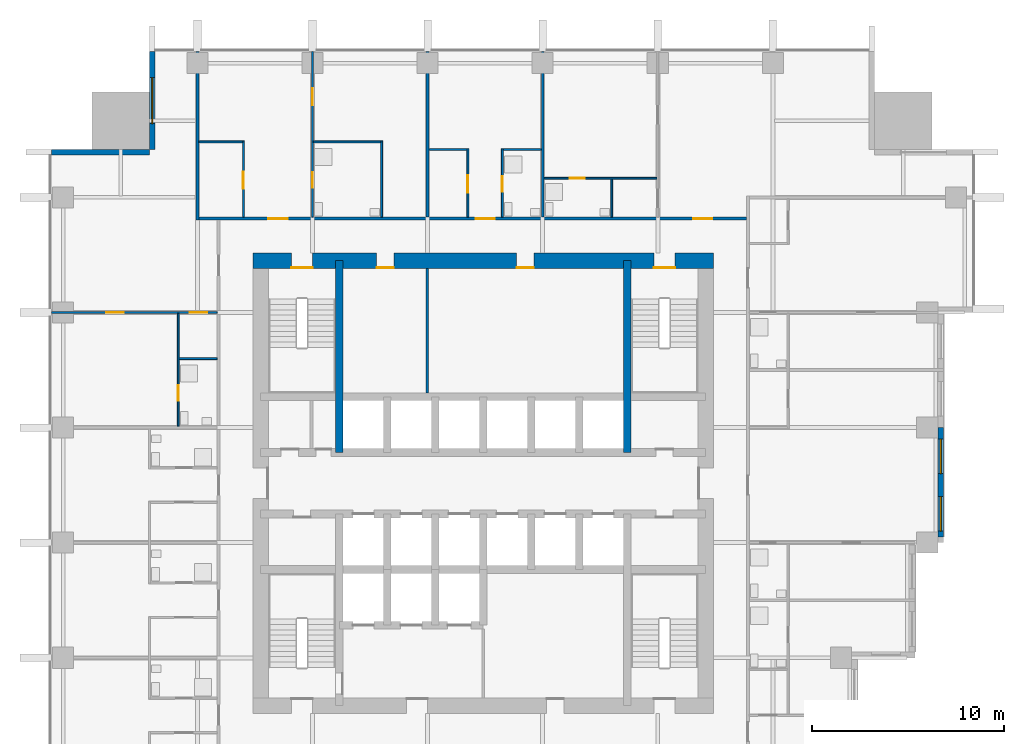
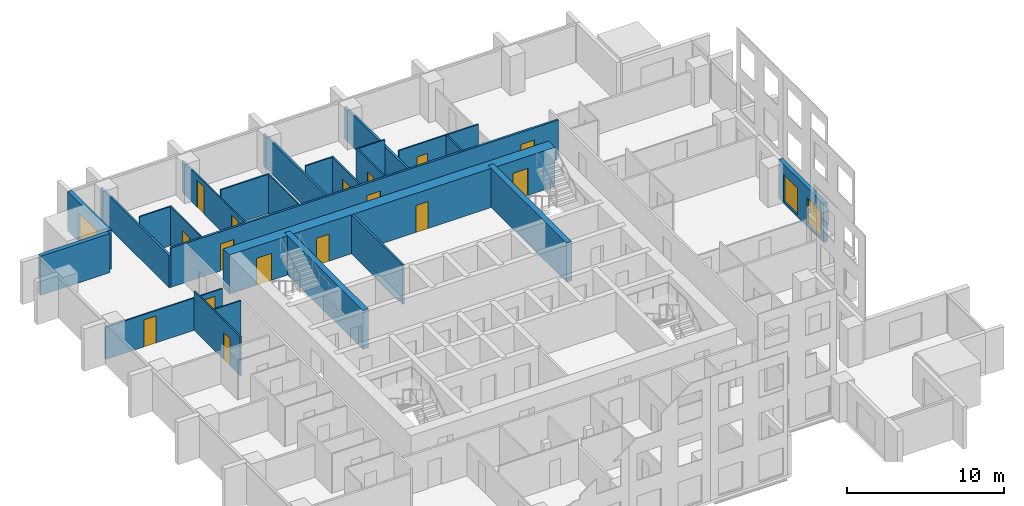
# One storey, part 7 of 11: 25 walls, 16 doors, 3 windows, 19 openings.
"""IFC4 building model written with IfcOpenShell, lengths in metres."""

from ifc_helpers import new_model, si_unit, direction, frame, frame_2d, origin, place, context, subcontext, project, spatial, rectangle, extrude, material, layer, layer_set, type_object, element, fill, save


model = new_model("IFC4")

# Units and contexts
model_context = context("Model", 3, precision=1e-05, world=origin(), true_north=direction((0.0, 1.0)))
body_context = subcontext(model_context, "Body", "Model", "MODEL_VIEW")
ifc_project = project(units=[si_unit("LENGTHUNIT", "METRE"), si_unit("AREAUNIT", "SQUARE_METRE"), si_unit("VOLUMEUNIT", "CUBIC_METRE"), si_unit("PLANEANGLEUNIT", "RADIAN"), si_unit("MASSUNIT", "GRAM", prefix="KILO")], contexts=[model_context])

# Site, building, storey
site_placement = place(None, origin())
site = spatial("IfcSite", under=ifc_project, at=site_placement, CompositionType="ELEMENT")
building_placement = place(site_placement, origin())
building = spatial("IfcBuilding", under=site, at=building_placement, Name="Amberfall Residences", CompositionType="ELEMENT")
storey_placement = place(building_placement, frame((0.0, 0.0, 98.5)))
storey = spatial("IfcBuildingStorey", under=building, at=storey_placement, Name="L26", CompositionType="ELEMENT", Elevation=98.5)

# Wall, opening, window
ifc_material_1 = material(Name="Pale stone cladding on insulated backing", Category="masonry")
ifc_layer_1 = layer(ifc_material_1, 0.300048828125)
ifc_layer_set_1 = layer_set([ifc_layer_1], Name="Bronze clad wall 300")
wall_type_1 = type_object("IfcWallType", Name="Bronze clad wall 300", PredefinedType="SOLIDWALL", material=ifc_layer_set_1)
wall_1_placement = place(storey_placement, frame((57.25, 68.0, 0.0), z_axis=(0.0, 0.0, 1.0), x_axis=(0.0, -1.0, 0.0)))
wall_1 = element("IfcWall", 1, at=wall_1_placement, inside=storey, type_object=wall_type_1, Name="External wall L26 NW", PredefinedType="SOLIDWALL", context=body_context, shape_type="SweptSolid", body=[
    extrude(rectangle(XDim=5.10009765625, YDim=0.300048828125, at=frame_2d((2.550048828125, 0.0))), origin(), (0.0, 0.0, 1.0), 3.050048828125),
])
opening_1_placement = place(wall_1_placement, frame((1.35009765625, 0.0, 0.14990234375)))
opening_1 = element("IfcOpeningElement", 2, at=opening_1_placement, cuts=wall_1, Name="Opening WN5", PredefinedType="OPENING", context=body_context, shape_type="SweptSolid", body=[
    extrude(rectangle(XDim=2.39990234375, YDim=2.10009765625, at=frame_2d((1.199951171875, 1.050048828125))), frame((0.0, 0.159912109375, 0.0), z_axis=(0.0, -1.0, 0.0), x_axis=(1.0, 0.0, 0.0)), (0.0, 0.0, 1.0), 0.320068359375),
])
ifc_material_2 = material(Name="Bronze aluminium framed glazing", Category="aluminium")
window_type_1 = type_object("IfcWindowType", Name="Glazed opening 2400 x 2100 bronze", PartitioningType="DOUBLE_PANEL_VERTICAL", PredefinedType="WINDOW", material=ifc_material_2)
window_1_placement = place(opening_1_placement, origin())
window_1 = element("IfcWindow", 3, at=window_1_placement, inside=storey, type_object=window_type_1, Name="Window L26 NW", OverallHeight=2.10009765625, OverallWidth=2.39990234375, PartitioningType="DOUBLE_PANEL_VERTICAL", PredefinedType="WINDOW", context=body_context, shape_type="SweptSolid", body=[
    extrude(rectangle(XDim=2.39990234375, YDim=2.10009765625, at=frame_2d((1.199951171875, 1.050048828125))), frame((0.0, 0.030029296875, 0.0), z_axis=(0.0, -1.0, 0.0), x_axis=(1.0, 0.0, 0.0)), (0.0, 0.0, 1.0), 0.06005859375),
])
fill(opening_1, window_1)

# Wall
wall_2_placement = place(storey_placement, frame((57.10009765625, 62.75, 0.0), z_axis=(0.0, 0.0, 1.0), x_axis=(-1.0, 0.0, 0.0)))
element("IfcWall", 4, at=wall_2_placement, inside=storey, type_object=wall_type_1, Name="External wall L26 NW", PredefinedType="SOLIDWALL", context=body_context, shape_type="SweptSolid", body=[
    extrude(rectangle(XDim=5.10009765625, YDim=0.300048828125, at=frame_2d((2.550048828125, 0.0))), origin(), (0.0, 0.0, 1.0), 3.050048828125),
])

# Wall, openings, windows
wall_3_placement = place(storey_placement, frame((98.35009765625, 42.699951171875, 0.0), z_axis=(0.0, 0.0, 1.0), x_axis=(0.0, 1.0, 0.0)))
wall_3 = element("IfcWall", 5, at=wall_3_placement, inside=storey, type_object=wall_type_1, Name="Stone wall L26 E", PredefinedType="SOLIDWALL", context=body_context, shape_type="SweptSolid", body=[
    extrude(rectangle(XDim=5.699951171875, YDim=0.300048828125, at=frame_2d((2.85009765625, 0.0))), origin(), (0.0, 0.0, 1.0), 3.050048828125),
])
opening_2_placement = place(wall_3_placement, frame((0.300048828125, 0.0, 0.14990234375)))
opening_2 = element("IfcOpeningElement", 6, at=opening_2_placement, cuts=wall_3, Name="Opening WN6", PredefinedType="OPENING", context=body_context, shape_type="SweptSolid", body=[
    extrude(rectangle(XDim=1.800048828125, YDim=2.10009765625, at=frame_2d((0.89990234375, 1.050048828125))), frame((0.0, 0.159912109375, 0.0), z_axis=(0.0, -1.0, 0.0), x_axis=(1.0, 0.0, 0.0)), (0.0, 0.0, 1.0), 0.320068359375),
])
opening_3_placement = place(wall_3_placement, frame((3.300048828125, 0.0, 0.14990234375)))
opening_3 = element("IfcOpeningElement", 7, at=opening_3_placement, cuts=wall_3, Name="Opening WN6", PredefinedType="OPENING", context=body_context, shape_type="SweptSolid", body=[
    extrude(rectangle(XDim=1.800048828125, YDim=2.10009765625, at=frame_2d((0.89990234375, 1.050048828125))), frame((0.0, 0.159912109375, 0.0), z_axis=(0.0, -1.0, 0.0), x_axis=(1.0, 0.0, 0.0)), (0.0, 0.0, 1.0), 0.320068359375),
])
window_type_2 = type_object("IfcWindowType", Name="Glazed opening 1800 x 2100 bronze", PartitioningType="DOUBLE_PANEL_VERTICAL", PredefinedType="WINDOW", material=ifc_material_2)
window_2_placement = place(opening_2_placement, origin())
window_2 = element("IfcWindow", 8, at=window_2_placement, inside=storey, type_object=window_type_2, Name="Window L26 E", OverallHeight=2.10009765625, OverallWidth=1.800048828125, PartitioningType="DOUBLE_PANEL_VERTICAL", PredefinedType="WINDOW", context=body_context, shape_type="SweptSolid", body=[
    extrude(rectangle(XDim=1.800048828125, YDim=2.10009765625, at=frame_2d((0.89990234375, 1.050048828125))), frame((0.0, 0.030029296875, 0.0), z_axis=(0.0, -1.0, 0.0), x_axis=(1.0, 0.0, 0.0)), (0.0, 0.0, 1.0), 0.06005859375),
])
fill(opening_2, window_2)
window_3_placement = place(opening_3_placement, origin())
window_3 = element("IfcWindow", 9, at=window_3_placement, inside=storey, type_object=window_type_2, Name="Window L26 E", OverallHeight=2.10009765625, OverallWidth=1.800048828125, PartitioningType="DOUBLE_PANEL_VERTICAL", PredefinedType="WINDOW", context=body_context, shape_type="SweptSolid", body=[
    extrude(rectangle(XDim=1.800048828125, YDim=2.10009765625, at=frame_2d((0.89990234375, 1.050048828125))), frame((0.0, 0.030029296875, 0.0), z_axis=(0.0, -1.0, 0.0), x_axis=(1.0, 0.0, 0.0)), (0.0, 0.0, 1.0), 0.06005859375),
])
fill(opening_3, window_3)

# Walls
ifc_material_3 = material(Name="Concrete C70", Category="concrete")
ifc_layer_2 = layer(ifc_material_3, 0.39990234375)
ifc_layer_set_2 = layer_set([ifc_layer_2], Name="Core wall 400 C70")
wall_type_2 = type_object("IfcWallType", Name="Core wall 400 C70", PredefinedType="SHEAR", material=ifc_layer_set_2)
for number, where, z_axis, x_axis, name in (
    (10, (67.0, 47.10009765625, 0.0), (0.0, 0.0, 1.0), (0.0, 1.0, 0.0), "Core wall RW4 L26 V45N"),
    (11, (82.0, 47.10009765625, 0.0), (0.0, 0.0, 1.0), (0.0, 1.0, 0.0), "Core wall RW4 L26 V195N"),
):
    element("IfcWall", number, at=place(storey_placement, frame(where, z_axis=z_axis, x_axis=x_axis)), inside=storey, type_object=wall_type_2, Name=name, PredefinedType="SHEAR", context=body_context, shape_type="SweptSolid", body=[
        extrude(rectangle(XDim=10.0, YDim=0.39990234375, at=frame_2d((5.0, 0.0))), origin(), (0.0, 0.0, 1.0), 3.050048828125),
    ])

# Wall, openings, doors
ifc_layer_3 = layer(ifc_material_3, 0.800048828125)
ifc_layer_set_3 = layer_set([ifc_layer_3], Name="Core wall 800 C70")
wall_type_3 = type_object("IfcWallType", Name="Core wall 800 C70", PredefinedType="SHEAR", material=ifc_layer_set_3)
wall_4_placement = place(storey_placement, frame((62.5, 57.10009765625, 0.0), z_axis=(0.0, 0.0, 1.0), x_axis=(1.0, 0.0, 0.0)))
wall_4 = element("IfcWall", 12, at=wall_4_placement, inside=storey, type_object=wall_type_3, Name="Core wall RW3 L26 ON", PredefinedType="SHEAR", context=body_context, shape_type="SweptSolid", body=[
    extrude(rectangle(XDim=24.0, YDim=0.800048828125, at=frame_2d((12.0, 0.0))), origin(), (0.0, 0.0, 1.0), 3.050048828125),
])
opening_4_placement = place(wall_4_placement, frame((20.89990234375, 0.0, 0.0)))
opening_4 = element("IfcOpeningElement", 13, at=opening_4_placement, cuts=wall_4, Name="Opening SD1", PredefinedType="OPENING", context=body_context, shape_type="SweptSolid", body=[
    extrude(rectangle(XDim=1.10009765625, YDim=2.10009765625, at=frame_2d((0.550048828125, 1.050048828125))), frame((0.0, 0.409912109375, 0.0), z_axis=(0.0, -1.0, 0.0), x_axis=(1.0, 0.0, 0.0)), (0.0, 0.0, 1.0), 0.820068359375),
])
opening_5_placement = place(wall_4_placement, frame((2.0, 0.0, 0.0)))
opening_5 = element("IfcOpeningElement", 14, at=opening_5_placement, cuts=wall_4, Name="Opening SD1", PredefinedType="OPENING", context=body_context, shape_type="SweptSolid", body=[
    extrude(rectangle(XDim=1.10009765625, YDim=2.10009765625, at=frame_2d((0.550048828125, 1.050048828125))), frame((0.0, 0.409912109375, 0.0), z_axis=(0.0, -1.0, 0.0), x_axis=(1.0, 0.0, 0.0)), (0.0, 0.0, 1.0), 0.820068359375),
])
opening_6_placement = place(wall_4_placement, frame((6.43994140625, 0.0, 0.0)))
opening_6 = element("IfcOpeningElement", 15, at=opening_6_placement, cuts=wall_4, Name="Opening RD1", PredefinedType="OPENING", context=body_context, shape_type="SweptSolid", body=[
    extrude(rectangle(XDim=0.89990234375, YDim=2.10009765625, at=frame_2d((0.449951171875, 1.050048828125))), frame((0.0, 0.409912109375, 0.0), z_axis=(0.0, -1.0, 0.0), x_axis=(1.0, 0.0, 0.0)), (0.0, 0.0, 1.0), 0.820068359375),
])
opening_7_placement = place(wall_4_placement, frame((13.739990234375, 0.0, 0.0)))
opening_7 = element("IfcOpeningElement", 16, at=opening_7_placement, cuts=wall_4, Name="Opening RD1", PredefinedType="OPENING", context=body_context, shape_type="SweptSolid", body=[
    extrude(rectangle(XDim=0.89990234375, YDim=2.10009765625, at=frame_2d((0.449951171875, 1.050048828125))), frame((0.0, 0.409912109375, 0.0), z_axis=(0.0, -1.0, 0.0), x_axis=(1.0, 0.0, 0.0)), (0.0, 0.0, 1.0), 0.820068359375),
])
ifc_material_4 = material(Name="Steel fire door set", Category="steel")
door_type_1 = type_object("IfcDoorType", Name="Service room door 900 x 2100", OperationType="SINGLE_SWING_LEFT", PredefinedType="DOOR", material=ifc_material_4)
door_1_placement = place(opening_6_placement, origin())
door_1 = element("IfcDoor", 17, at=door_1_placement, inside=storey, type_object=door_type_1, Name="RD1 L26", OperationType="SINGLE_SWING_RIGHT", OverallHeight=2.10009765625, OverallWidth=0.89990234375, PredefinedType="DOOR", context=body_context, shape_type="SweptSolid", body=[
    extrude(rectangle(XDim=0.89990234375, YDim=2.10009765625, at=frame_2d((0.449951171875, 1.050048828125))), frame((0.0, -0.33740234375, 0.0), z_axis=(0.0, -1.0, 0.0), x_axis=(1.0, 0.0, 0.0)), (0.0, 0.0, 1.0), 0.050048828125),
])
fill(opening_6, door_1)
door_2_placement = place(opening_7_placement, origin())
door_2 = element("IfcDoor", 18, at=door_2_placement, inside=storey, type_object=door_type_1, Name="RD1 L26", OperationType="SINGLE_SWING_RIGHT", OverallHeight=2.10009765625, OverallWidth=0.89990234375, PredefinedType="DOOR", context=body_context, shape_type="SweptSolid", body=[
    extrude(rectangle(XDim=0.89990234375, YDim=2.10009765625, at=frame_2d((0.449951171875, 1.050048828125))), frame((0.0, -0.33740234375, 0.0), z_axis=(0.0, -1.0, 0.0), x_axis=(1.0, 0.0, 0.0)), (0.0, 0.0, 1.0), 0.050048828125),
])
fill(opening_7, door_2)
door_type_2 = type_object("IfcDoorType", Name="Stair door 1100 x 2100", OperationType="SINGLE_SWING_LEFT", PredefinedType="DOOR", material=ifc_material_4)
door_3_placement = place(opening_4_placement, origin())
door_3 = element("IfcDoor", 19, at=door_3_placement, inside=storey, type_object=door_type_2, Name="SD1 L26", OperationType="SINGLE_SWING_RIGHT", OverallHeight=2.10009765625, OverallWidth=1.10009765625, PredefinedType="DOOR", context=body_context, shape_type="SweptSolid", body=[
    extrude(rectangle(XDim=1.10009765625, YDim=2.10009765625, at=frame_2d((0.550048828125, 1.050048828125))), frame((0.0, -0.33740234375, 0.0), z_axis=(0.0, -1.0, 0.0), x_axis=(1.0, 0.0, 0.0)), (0.0, 0.0, 1.0), 0.050048828125),
])
fill(opening_4, door_3)
door_4_placement = place(opening_5_placement, origin())
door_4 = element("IfcDoor", 20, at=door_4_placement, inside=storey, type_object=door_type_2, Name="SD1 L26", OperationType="SINGLE_SWING_LEFT", OverallHeight=2.10009765625, OverallWidth=1.10009765625, PredefinedType="DOOR", context=body_context, shape_type="SweptSolid", body=[
    extrude(rectangle(XDim=1.10009765625, YDim=2.10009765625, at=frame_2d((0.550048828125, 1.050048828125))), frame((0.0, -0.33740234375, 0.0), z_axis=(0.0, -1.0, 0.0), x_axis=(1.0, 0.0, 0.0)), (0.0, 0.0, 1.0), 0.050048828125),
])
fill(opening_5, door_4)

# Wall, opening, door
ifc_material_5 = material(Name="Gypsum board on metal stud")
ifc_layer_4 = layer(ifc_material_5, 0.10009765625)
ifc_layer_set_4 = layer_set([ifc_layer_4], Name="Flat partition 100")
wall_type_4 = type_object("IfcWallType", Name="Flat partition 100", PredefinedType="PARTITIONING", material=ifc_layer_set_4)
wall_5_placement = place(storey_placement, frame((58.60009765625, 54.35009765625, 0.0), z_axis=(0.0, 0.0, 1.0), x_axis=(0.0, -1.0, 0.0)))
wall_5 = element("IfcWall", 21, at=wall_5_placement, inside=storey, type_object=wall_type_4, Name="Partition 005", PredefinedType="PARTITIONING", context=body_context, shape_type="SweptSolid", body=[
    extrude(rectangle(XDim=5.875, YDim=0.10009765625, at=frame_2d((2.9375, 0.0))), origin(), (0.0, 0.0, 1.0), 3.050048828125),
])
opening_8_placement = place(wall_5_placement, frame((3.75, 0.0, 0.0)))
opening_8 = element("IfcOpeningElement", 22, at=opening_8_placement, cuts=wall_5, Name="Opening D42", PredefinedType="OPENING", context=body_context, shape_type="SweptSolid", body=[
    extrude(rectangle(XDim=0.800048828125, YDim=2.10009765625, at=frame_2d((0.39990234375, 1.050048828125))), frame((0.0, 0.06005859375, 0.0), z_axis=(0.0, -1.0, 0.0), x_axis=(1.0, 0.0, 0.0)), (0.0, 0.0, 1.0), 0.1201171875),
])
ifc_material_6 = material(Name="Timber", Category="wood")
door_type_3 = type_object("IfcDoorType", Name="Bathroom door 800 x 2100", OperationType="SINGLE_SWING_LEFT", PredefinedType="DOOR", material=ifc_material_6)
door_5_placement = place(opening_8_placement, origin())
door_5 = element("IfcDoor", 23, at=door_5_placement, inside=storey, type_object=door_type_3, Name="Door 2613 bath1", OperationType="SINGLE_SWING_LEFT", OverallHeight=2.10009765625, OverallWidth=0.800048828125, PredefinedType="DOOR", context=body_context, shape_type="SweptSolid", body=[
    extrude(rectangle(XDim=0.800048828125, YDim=2.10009765625, at=frame_2d((0.39990234375, 1.050048828125))), frame((0.0, 0.02490234375, 0.0), z_axis=(0.0, -1.0, 0.0), x_axis=(1.0, 0.0, 0.0)), (0.0, 0.0, 1.0), 0.050048828125),
])
fill(opening_8, door_5)

wall_6_placement = place(storey_placement, frame((62.0, 59.375, 0.0), z_axis=(0.0, 0.0, 1.0), x_axis=(0.0, 1.0, 0.0)))
wall_6 = element("IfcWall", 24, at=wall_6_placement, inside=storey, type_object=wall_type_4, Name="Partition 006", PredefinedType="PARTITIONING", context=body_context, shape_type="SweptSolid", body=[
    extrude(rectangle(XDim=3.97509765625, YDim=0.10009765625, at=frame_2d((1.987548828125, 0.0))), origin(), (0.0, 0.0, 1.0), 3.050048828125),
])
opening_9_placement = place(wall_6_placement, frame((1.47509765625, 0.0, 0.0)))
opening_9 = element("IfcOpeningElement", 25, at=opening_9_placement, cuts=wall_6, Name="Opening D41", PredefinedType="OPENING", context=body_context, shape_type="SweptSolid", body=[
    extrude(rectangle(XDim=0.89990234375, YDim=2.10009765625, at=frame_2d((0.449951171875, 1.050048828125))), frame((0.0, 0.06005859375, 0.0), z_axis=(0.0, -1.0, 0.0), x_axis=(1.0, 0.0, 0.0)), (0.0, 0.0, 1.0), 0.1201171875),
])
door_type_4 = type_object("IfcDoorType", Name="Internal door 900 x 2100", OperationType="SINGLE_SWING_LEFT", PredefinedType="DOOR", material=ifc_material_6)
door_6_placement = place(opening_9_placement, origin())
door_6 = element("IfcDoor", 26, at=door_6_placement, inside=storey, type_object=door_type_4, Name="Door 2607 kitchen", OperationType="SINGLE_SWING_LEFT", OverallHeight=2.10009765625, OverallWidth=0.89990234375, PredefinedType="DOOR", context=body_context, shape_type="SweptSolid", body=[
    extrude(rectangle(XDim=0.89990234375, YDim=2.10009765625, at=frame_2d((0.449951171875, 1.050048828125))), frame((0.0, 0.02490234375, 0.0), z_axis=(0.0, -1.0, 0.0), x_axis=(1.0, 0.0, 0.0)), (0.0, 0.0, 1.0), 0.050048828125),
])
fill(opening_9, door_6)

# Wall, openings, doors
wall_7_placement = place(storey_placement, frame((65.60009765625, 68.0, 0.0), z_axis=(0.0, 0.0, 1.0), x_axis=(0.0, -1.0, 0.0)))
wall_7 = element("IfcWall", 27, at=wall_7_placement, inside=storey, type_object=wall_type_4, Name="Partition 008", PredefinedType="PARTITIONING", context=body_context, shape_type="SweptSolid", body=[
    extrude(rectangle(XDim=8.625, YDim=0.10009765625, at=frame_2d((4.3125, 0.0))), origin(), (0.0, 0.0, 1.0), 2.51611328125),
])
opening_10_placement = place(wall_7_placement, frame((1.89990234375, 0.0, 0.0)))
opening_10 = element("IfcOpeningElement", 28, at=opening_10_placement, cuts=wall_7, Name="Opening D41", PredefinedType="OPENING", context=body_context, shape_type="SweptSolid", body=[
    extrude(rectangle(XDim=0.89990234375, YDim=2.10009765625, at=frame_2d((0.449951171875, 1.050048828125))), frame((0.0, 0.06005859375, 0.0), z_axis=(0.0, -1.0, 0.0), x_axis=(1.0, 0.0, 0.0)), (0.0, 0.0, 1.0), 0.1201171875),
])
opening_11_placement = place(wall_7_placement, frame((6.300048828125, 0.0, 0.0)))
opening_11 = element("IfcOpeningElement", 29, at=opening_11_placement, cuts=wall_7, Name="Opening D42", PredefinedType="OPENING", context=body_context, shape_type="SweptSolid", body=[
    extrude(rectangle(XDim=0.800048828125, YDim=2.10009765625, at=frame_2d((0.39990234375, 1.050048828125))), frame((0.0, 0.06005859375, 0.0), z_axis=(0.0, -1.0, 0.0), x_axis=(1.0, 0.0, 0.0)), (0.0, 0.0, 1.0), 0.1201171875),
])
door_7_placement = place(opening_11_placement, origin())
door_7 = element("IfcDoor", 30, at=door_7_placement, inside=storey, type_object=door_type_3, Name="Door 2607 bath1", OperationType="SINGLE_SWING_LEFT", OverallHeight=2.10009765625, OverallWidth=0.800048828125, PredefinedType="DOOR", context=body_context, shape_type="SweptSolid", body=[
    extrude(rectangle(XDim=0.800048828125, YDim=2.10009765625, at=frame_2d((0.39990234375, 1.050048828125))), frame((0.0, 0.02490234375, 0.0), z_axis=(0.0, -1.0, 0.0), x_axis=(1.0, 0.0, 0.0)), (0.0, 0.0, 1.0), 0.050048828125),
])
fill(opening_11, door_7)
door_8_placement = place(opening_10_placement, origin())
door_8 = element("IfcDoor", 31, at=door_8_placement, inside=storey, type_object=door_type_4, Name="Door 2607 bedroom1", OperationType="SINGLE_SWING_LEFT", OverallHeight=2.10009765625, OverallWidth=0.89990234375, PredefinedType="DOOR", context=body_context, shape_type="SweptSolid", body=[
    extrude(rectangle(XDim=0.89990234375, YDim=2.10009765625, at=frame_2d((0.449951171875, 1.050048828125))), frame((0.0, 0.02490234375, 0.0), z_axis=(0.0, -1.0, 0.0), x_axis=(1.0, 0.0, 0.0)), (0.0, 0.0, 1.0), 0.050048828125),
])
fill(opening_10, door_8)

# Wall
wall_8_placement = place(storey_placement, frame((69.199951171875, 59.375, 0.0), z_axis=(0.0, 0.0, 1.0), x_axis=(0.0, 1.0, 0.0)))
element("IfcWall", 32, at=wall_8_placement, inside=storey, type_object=wall_type_4, Name="Partition 010", PredefinedType="PARTITIONING", context=body_context, shape_type="SweptSolid", body=[
    extrude(rectangle(XDim=3.97509765625, YDim=0.10009765625, at=frame_2d((1.987548828125, 0.0))), origin(), (0.0, 0.0, 1.0), 3.050048828125),
])

# Wall, opening, door
wall_9_placement = place(storey_placement, frame((73.699951171875, 59.375, 0.0), z_axis=(0.0, 0.0, 1.0), x_axis=(0.0, 1.0, 0.0)))
wall_9 = element("IfcWall", 33, at=wall_9_placement, inside=storey, type_object=wall_type_4, Name="Partition 011", PredefinedType="PARTITIONING", context=body_context, shape_type="SweptSolid", body=[
    extrude(rectangle(XDim=3.574951171875, YDim=0.10009765625, at=frame_2d((1.78759765625, 0.0))), origin(), (0.0, 0.0, 1.0), 3.050048828125),
])
opening_12_placement = place(wall_9_placement, frame((1.27490234375, 0.0, 0.0)))
opening_12 = element("IfcOpeningElement", 34, at=opening_12_placement, cuts=wall_9, Name="Opening D41", PredefinedType="OPENING", context=body_context, shape_type="SweptSolid", body=[
    extrude(rectangle(XDim=0.89990234375, YDim=2.10009765625, at=frame_2d((0.449951171875, 1.050048828125))), frame((0.0, 0.06005859375, 0.0), z_axis=(0.0, -1.0, 0.0), x_axis=(1.0, 0.0, 0.0)), (0.0, 0.0, 1.0), 0.1201171875),
])
door_9_placement = place(opening_12_placement, origin())
door_9 = element("IfcDoor", 35, at=door_9_placement, inside=storey, type_object=door_type_4, Name="Door 2608 kitchen", OperationType="SINGLE_SWING_LEFT", OverallHeight=2.10009765625, OverallWidth=0.89990234375, PredefinedType="DOOR", context=body_context, shape_type="SweptSolid", body=[
    extrude(rectangle(XDim=0.89990234375, YDim=2.10009765625, at=frame_2d((0.449951171875, 1.050048828125))), frame((0.0, 0.02490234375, 0.0), z_axis=(0.0, -1.0, 0.0), x_axis=(1.0, 0.0, 0.0)), (0.0, 0.0, 1.0), 0.050048828125),
])
fill(opening_12, door_9)

wall_10_placement = place(storey_placement, frame((75.5, 62.949951171875, 0.0), z_axis=(0.0, 0.0, 1.0), x_axis=(0.0, -1.0, 0.0)))
wall_10 = element("IfcWall", 36, at=wall_10_placement, inside=storey, type_object=wall_type_4, Name="Partition 013", PredefinedType="PARTITIONING", context=body_context, shape_type="SweptSolid", body=[
    extrude(rectangle(XDim=3.574951171875, YDim=0.10009765625, at=frame_2d((1.78759765625, 0.0))), origin(), (0.0, 0.0, 1.0), 3.050048828125),
])
opening_13_placement = place(wall_10_placement, frame((1.449951171875, 0.0, 0.0)))
opening_13 = element("IfcOpeningElement", 37, at=opening_13_placement, cuts=wall_10, Name="Opening D42", PredefinedType="OPENING", context=body_context, shape_type="SweptSolid", body=[
    extrude(rectangle(XDim=0.800048828125, YDim=2.10009765625, at=frame_2d((0.39990234375, 1.050048828125))), frame((0.0, 0.06005859375, 0.0), z_axis=(0.0, -1.0, 0.0), x_axis=(1.0, 0.0, 0.0)), (0.0, 0.0, 1.0), 0.1201171875),
])
door_10_placement = place(opening_13_placement, origin())
door_10 = element("IfcDoor", 38, at=door_10_placement, inside=storey, type_object=door_type_3, Name="Door 2608 bath1", OperationType="SINGLE_SWING_LEFT", OverallHeight=2.10009765625, OverallWidth=0.800048828125, PredefinedType="DOOR", context=body_context, shape_type="SweptSolid", body=[
    extrude(rectangle(XDim=0.800048828125, YDim=2.10009765625, at=frame_2d((0.39990234375, 1.050048828125))), frame((0.0, 0.02490234375, 0.0), z_axis=(0.0, -1.0, 0.0), x_axis=(1.0, 0.0, 0.0)), (0.0, 0.0, 1.0), 0.050048828125),
])
fill(opening_13, door_10)

# Walls
wall_11_placement = place(storey_placement, frame((81.199951171875, 59.375, 0.0), z_axis=(0.0, 0.0, 1.0), x_axis=(0.0, 1.0, 0.0)))
element("IfcWall", 39, at=wall_11_placement, inside=storey, type_object=wall_type_4, Name="Partition 015", PredefinedType="PARTITIONING", context=body_context, shape_type="SweptSolid", body=[
    extrude(rectangle(XDim=1.97509765625, YDim=0.10009765625, at=frame_2d((0.987548828125, 0.0))), origin(), (0.0, 0.0, 1.0), 3.050048828125),
])
wall_12_placement = place(storey_placement, frame((59.675048828125, 63.300048828125, 0.0), z_axis=(0.0, 0.0, 1.0), x_axis=(1.0, 0.0, 0.0)))
element("IfcWall", 40, at=wall_12_placement, inside=storey, type_object=wall_type_4, Name="Partition 022", PredefinedType="PARTITIONING", context=body_context, shape_type="SweptSolid", body=[
    extrude(rectangle(XDim=2.27490234375, YDim=0.10009765625, at=frame_2d((1.137451171875, 0.0))), origin(), (0.0, 0.0, 1.0), 3.050048828125),
])
wall_13_placement = place(storey_placement, frame((65.64990234375, 63.300048828125, 0.0), z_axis=(0.0, 0.0, 1.0), x_axis=(1.0, 0.0, 0.0)))
element("IfcWall", 41, at=wall_13_placement, inside=storey, type_object=wall_type_4, Name="Partition 023", PredefinedType="PARTITIONING", context=body_context, shape_type="SweptSolid", body=[
    extrude(rectangle(XDim=3.5, YDim=0.10009765625, at=frame_2d((1.75, 0.0))), origin(), (0.0, 0.0, 1.0), 3.050048828125),
])
for number, where, z_axis, x_axis, name in (
    (42, (71.675048828125, 62.89990234375, 0.0), (0.0, 0.0, 1.0), (1.0, 0.0, 0.0), "Partition 024"),
    (43, (75.550048828125, 62.89990234375, 0.0), (0.0, 0.0, 1.0), (1.0, 0.0, 0.0), "Partition 025"),
):
    element("IfcWall", number, at=place(storey_placement, frame(where, z_axis=z_axis, x_axis=x_axis)), inside=storey, type_object=wall_type_4, Name=name, PredefinedType="PARTITIONING", context=body_context, shape_type="SweptSolid", body=[
        extrude(rectangle(XDim=1.974853515625, YDim=0.10009765625, at=frame_2d((0.9873046875, 0.0))), origin(), (0.0, 0.0, 1.0), 3.050048828125),
    ])

# Wall, opening, door
wall_14_placement = place(storey_placement, frame((83.550048828125, 61.39990234375, 0.0), z_axis=(0.0, 0.0, 1.0), x_axis=(-1.0, 0.0, 0.0)))
wall_14 = element("IfcWall", 44, at=wall_14_placement, inside=storey, type_object=wall_type_4, Name="Partition 026", PredefinedType="PARTITIONING", context=body_context, shape_type="SweptSolid", body=[
    extrude(rectangle(XDim=5.875, YDim=0.10009765625, at=frame_2d((2.9375, 0.0))), origin(), (0.0, 0.0, 1.0), 3.050048828125),
])
opening_14_placement = place(wall_14_placement, frame((3.75, 0.0, 0.0)))
opening_14 = element("IfcOpeningElement", 45, at=opening_14_placement, cuts=wall_14, Name="Opening D42", PredefinedType="OPENING", context=body_context, shape_type="SweptSolid", body=[
    extrude(rectangle(XDim=0.800048828125, YDim=2.10009765625, at=frame_2d((0.39990234375, 1.050048828125))), frame((0.0, 0.06005859375, 0.0), z_axis=(0.0, -1.0, 0.0), x_axis=(1.0, 0.0, 0.0)), (0.0, 0.0, 1.0), 0.1201171875),
])
door_11_placement = place(opening_14_placement, origin())
door_11 = element("IfcDoor", 46, at=door_11_placement, inside=storey, type_object=door_type_3, Name="Door 2609 bath1", OperationType="SINGLE_SWING_LEFT", OverallHeight=2.10009765625, OverallWidth=0.800048828125, PredefinedType="DOOR", context=body_context, shape_type="SweptSolid", body=[
    extrude(rectangle(XDim=0.800048828125, YDim=2.10009765625, at=frame_2d((0.39990234375, 1.050048828125))), frame((0.0, 0.02490234375, 0.0), z_axis=(0.0, -1.0, 0.0), x_axis=(1.0, 0.0, 0.0)), (0.0, 0.0, 1.0), 0.050048828125),
])
fill(opening_14, door_11)

# Wall, openings, doors
wall_15_placement = place(storey_placement, frame((60.625, 54.39990234375, 0.0), z_axis=(0.0, 0.0, 1.0), x_axis=(-1.0, 0.0, 0.0)))
wall_15 = element("IfcWall", 47, at=wall_15_placement, inside=storey, type_object=wall_type_4, Name="Partition 028", PredefinedType="PARTITIONING", context=body_context, shape_type="SweptSolid", body=[
    extrude(rectangle(XDim=8.625, YDim=0.10009765625, at=frame_2d((4.3125, 0.0))), origin(), (0.0, 0.0, 1.0), 2.51611328125),
])
opening_15_placement = place(wall_15_placement, frame((0.52490234375, 0.0, 0.0)))
opening_15 = element("IfcOpeningElement", 48, at=opening_15_placement, cuts=wall_15, Name="Opening D41", PredefinedType="OPENING", context=body_context, shape_type="SweptSolid", body=[
    extrude(rectangle(XDim=0.89990234375, YDim=2.10009765625, at=frame_2d((0.449951171875, 1.050048828125))), frame((0.0, 0.06005859375, 0.0), z_axis=(0.0, -1.0, 0.0), x_axis=(1.0, 0.0, 0.0)), (0.0, 0.0, 1.0), 0.1201171875),
])
opening_16_placement = place(wall_15_placement, frame((4.875, 0.0, 0.0)))
opening_16 = element("IfcOpeningElement", 49, at=opening_16_placement, cuts=wall_15, Name="Opening D41", PredefinedType="OPENING", context=body_context, shape_type="SweptSolid", body=[
    extrude(rectangle(XDim=0.89990234375, YDim=2.10009765625, at=frame_2d((0.449951171875, 1.050048828125))), frame((0.0, 0.06005859375, 0.0), z_axis=(0.0, -1.0, 0.0), x_axis=(1.0, 0.0, 0.0)), (0.0, 0.0, 1.0), 0.1201171875),
])
door_12_placement = place(opening_15_placement, origin())
door_12 = element("IfcDoor", 50, at=door_12_placement, inside=storey, type_object=door_type_4, Name="Door 2613 kitchen", OperationType="SINGLE_SWING_LEFT", OverallHeight=2.10009765625, OverallWidth=0.89990234375, PredefinedType="DOOR", context=body_context, shape_type="SweptSolid", body=[
    extrude(rectangle(XDim=0.89990234375, YDim=2.10009765625, at=frame_2d((0.449951171875, 1.050048828125))), frame((0.0, 0.02490234375, 0.0), z_axis=(0.0, -1.0, 0.0), x_axis=(1.0, 0.0, 0.0)), (0.0, 0.0, 1.0), 0.050048828125),
])
fill(opening_15, door_12)
door_13_placement = place(opening_16_placement, origin())
door_13 = element("IfcDoor", 51, at=door_13_placement, inside=storey, type_object=door_type_4, Name="Door 2613 bedroom1", OperationType="SINGLE_SWING_LEFT", OverallHeight=2.10009765625, OverallWidth=0.89990234375, PredefinedType="DOOR", context=body_context, shape_type="SweptSolid", body=[
    extrude(rectangle(XDim=0.89990234375, YDim=2.10009765625, at=frame_2d((0.449951171875, 1.050048828125))), frame((0.0, 0.02490234375, 0.0), z_axis=(0.0, -1.0, 0.0), x_axis=(1.0, 0.0, 0.0)), (0.0, 0.0, 1.0), 0.050048828125),
])
fill(opening_16, door_13)

# Walls
wall_16_placement = place(storey_placement, frame((58.64990234375, 52.0, 0.0), z_axis=(0.0, 0.0, 1.0), x_axis=(1.0, 0.0, 0.0)))
element("IfcWall", 52, at=wall_16_placement, inside=storey, type_object=wall_type_4, Name="Partition 030", PredefinedType="PARTITIONING", context=body_context, shape_type="SweptSolid", body=[
    extrude(rectangle(XDim=1.97509765625, YDim=0.10009765625, at=frame_2d((0.987548828125, 0.0))), origin(), (0.0, 0.0, 1.0), 3.050048828125),
])
ifc_material_7 = material(Name="Blockwork, plastered", Category="masonry")
ifc_layer_5 = layer(ifc_material_7, 0.14990234375)
ifc_layer_set_5 = layer_set([ifc_layer_5], Name="Flat separating wall 150")
wall_type_5 = type_object("IfcWallType", Name="Flat separating wall 150", PredefinedType="PARTITIONING", material=ifc_layer_set_5)
wall_17_placement = place(storey_placement, frame((59.60009765625, 59.22509765625, 0.0), z_axis=(0.0, 0.0, 1.0), x_axis=(0.0, 1.0, 0.0)))
element("IfcWall", 53, at=wall_17_placement, inside=storey, type_object=wall_type_5, Name="Separating wall 046", PredefinedType="PARTITIONING", context=body_context, shape_type="SweptSolid", body=[
    extrude(rectangle(XDim=8.77490234375, YDim=0.14990234375, at=frame_2d((4.387451171875, 0.0))), origin(), (0.0, 0.0, 1.0), 2.510009765625),
])
for number, where, z_axis, x_axis, name in (
    (54, (71.60009765625, 59.375, 0.0), (0.0, 0.0, 1.0), (0.0, 1.0, 0.0), "Separating wall 049"),
    (55, (77.60009765625, 59.375, 0.0), (0.0, 0.0, 1.0), (0.0, 1.0, 0.0), "Separating wall 050"),
):
    element("IfcWall", number, at=place(storey_placement, frame(where, z_axis=z_axis, x_axis=x_axis)), inside=storey, type_object=wall_type_5, Name=name, PredefinedType="PARTITIONING", context=body_context, shape_type="SweptSolid", body=[
        extrude(rectangle(XDim=8.625, YDim=0.14990234375, at=frame_2d((4.3125, 0.0))), origin(), (0.0, 0.0, 1.0), 2.51611328125),
    ])

# Wall, openings, doors
wall_18_placement = place(storey_placement, frame((59.675048828125, 59.300048828125, 0.0), z_axis=(0.0, 0.0, 1.0), x_axis=(1.0, 0.0, 0.0)))
wall_18 = element("IfcWall", 56, at=wall_18_placement, inside=storey, type_object=wall_type_5, Name="Separating wall 055", PredefinedType="PARTITIONING", context=body_context, shape_type="SweptSolid", body=[
    extrude(rectangle(XDim=28.550048828125, YDim=0.14990234375, at=frame_2d((14.27490234375, 0.0))), origin(), (0.0, 0.0, 1.0), 3.050048828125),
])
opening_17_placement = place(wall_18_placement, frame((3.625, 0.0, 0.0)))
opening_17 = element("IfcOpeningElement", 57, at=opening_17_placement, cuts=wall_18, Name="Opening D40", PredefinedType="OPENING", context=body_context, shape_type="SweptSolid", body=[
    extrude(rectangle(XDim=1.0, YDim=2.10009765625, at=frame_2d((0.5, 1.050048828125))), frame((0.0, 0.0849609375, 0.0), z_axis=(0.0, -1.0, 0.0), x_axis=(1.0, 0.0, 0.0)), (0.0, 0.0, 1.0), 0.169921875),
])
opening_18_placement = place(wall_18_placement, frame((14.425048828125, 0.0, 0.0)))
opening_18 = element("IfcOpeningElement", 58, at=opening_18_placement, cuts=wall_18, Name="Opening D40", PredefinedType="OPENING", context=body_context, shape_type="SweptSolid", body=[
    extrude(rectangle(XDim=1.0, YDim=2.10009765625, at=frame_2d((0.5, 1.050048828125))), frame((0.0, 0.0849609375, 0.0), z_axis=(0.0, -1.0, 0.0), x_axis=(1.0, 0.0, 0.0)), (0.0, 0.0, 1.0), 0.169921875),
])
opening_19_placement = place(wall_18_placement, frame((25.77490234375, 0.0, 0.0)))
opening_19 = element("IfcOpeningElement", 59, at=opening_19_placement, cuts=wall_18, Name="Opening D40", PredefinedType="OPENING", context=body_context, shape_type="SweptSolid", body=[
    extrude(rectangle(XDim=1.0, YDim=2.10009765625, at=frame_2d((0.5, 1.050048828125))), frame((0.0, 0.0849609375, 0.0), z_axis=(0.0, -1.0, 0.0), x_axis=(1.0, 0.0, 0.0)), (0.0, 0.0, 1.0), 0.169921875),
])
ifc_material_8 = material(Name="Timber, fire-rated", Category="wood")
door_type_5 = type_object("IfcDoorType", Name="Flat entrance door FD60 1000 x 2100", OperationType="SINGLE_SWING_LEFT", PredefinedType="DOOR", material=ifc_material_8)
door_14_placement = place(opening_17_placement, origin())
door_14 = element("IfcDoor", 60, at=door_14_placement, inside=storey, type_object=door_type_5, Name="Door 2607 entrance", OperationType="SINGLE_SWING_LEFT", OverallHeight=2.10009765625, OverallWidth=1.0, PredefinedType="DOOR", context=body_context, shape_type="SweptSolid", body=[
    extrude(rectangle(XDim=1.0, YDim=2.10009765625, at=frame_2d((0.5, 1.050048828125))), frame((0.0, 0.02490234375, 0.0), z_axis=(0.0, -1.0, 0.0), x_axis=(1.0, 0.0, 0.0)), (0.0, 0.0, 1.0), 0.050048828125),
])
fill(opening_17, door_14)
door_15_placement = place(opening_18_placement, origin())
door_15 = element("IfcDoor", 61, at=door_15_placement, inside=storey, type_object=door_type_5, Name="Door 2608 entrance", OperationType="SINGLE_SWING_LEFT", OverallHeight=2.10009765625, OverallWidth=1.0, PredefinedType="DOOR", context=body_context, shape_type="SweptSolid", body=[
    extrude(rectangle(XDim=1.0, YDim=2.10009765625, at=frame_2d((0.5, 1.050048828125))), frame((0.0, 0.02490234375, 0.0), z_axis=(0.0, -1.0, 0.0), x_axis=(1.0, 0.0, 0.0)), (0.0, 0.0, 1.0), 0.050048828125),
])
fill(opening_18, door_15)
door_16_placement = place(opening_19_placement, origin())
door_16 = element("IfcDoor", 62, at=door_16_placement, inside=storey, type_object=door_type_5, Name="Door 2609 entrance", OperationType="SINGLE_SWING_LEFT", OverallHeight=2.10009765625, OverallWidth=1.0, PredefinedType="DOOR", context=body_context, shape_type="SweptSolid", body=[
    extrude(rectangle(XDim=1.0, YDim=2.10009765625, at=frame_2d((0.5, 1.050048828125))), frame((0.0, 0.02490234375, 0.0), z_axis=(0.0, -1.0, 0.0), x_axis=(1.0, 0.0, 0.0)), (0.0, 0.0, 1.0), 0.050048828125),
])
fill(opening_19, door_16)

# Wall
ifc_material_9 = material(Name="Concrete blockwork", Category="masonry")
ifc_layer_6 = layer(ifc_material_9, 0.14990234375)
ifc_layer_set_6 = layer_set([ifc_layer_6], Name="Riser wall 150")
wall_type_6 = type_object("IfcWallType", Name="Riser wall 150", PredefinedType="PLUMBINGWALL", material=ifc_layer_set_6)
wall_19_placement = place(storey_placement, frame((71.580078125, 50.199951171875, 0.0), z_axis=(0.0, 0.0, 1.0), x_axis=(0.0, 1.0, 0.0)))
element("IfcWall", 63, at=wall_19_placement, inside=storey, type_object=wall_type_6, Name="L26 core wall N0", PredefinedType="PLUMBINGWALL", context=body_context, shape_type="SweptSolid", body=[
    extrude(rectangle(XDim=6.5, YDim=0.14990234375, at=frame_2d((3.25, 0.0))), origin(), (0.0, 0.0, 1.0), 3.050048828125),
])

save(model, "model.ifc")
